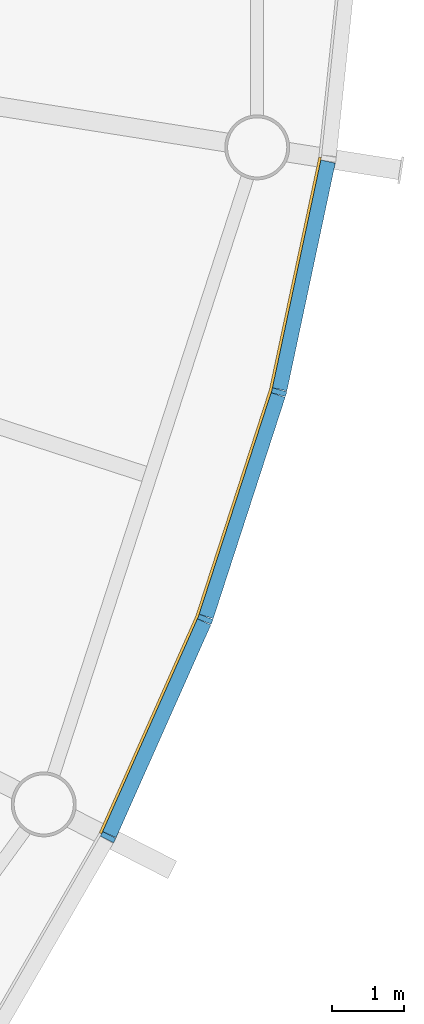
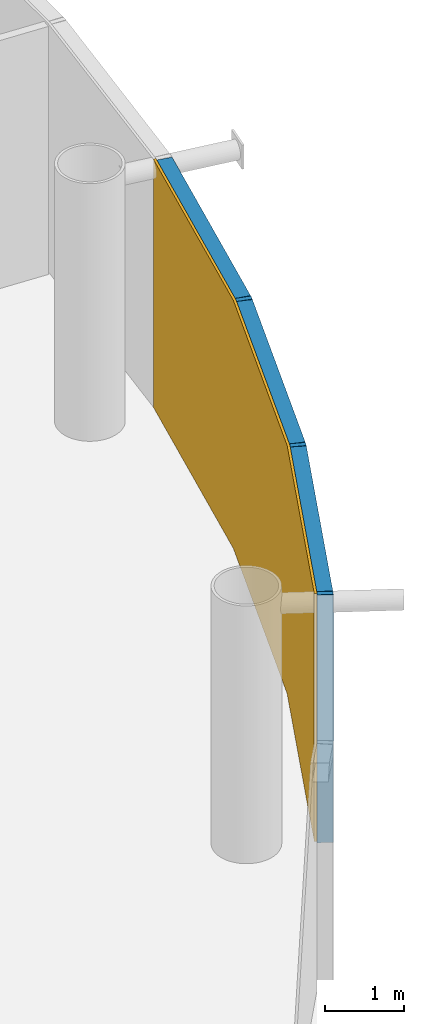
# One storey, part 14 of 18: 6 members, 1 curtain wall.
"""IFC4 building model written with IfcOpenShell, lengths in metres."""

from ifc_helpers import new_model, si_unit, direction, frame, origin, origin_2d, place, context, subcontext, project, spatial, polyline, rectangle, outline, extrude, material, layer, layer_set, material_profile, profile_set, type_object, element, aggregate, save


model = new_model("IFC4")

# Units and contexts
model_context = context("Model", 3, precision=1e-05, world=origin(), true_north=direction((0.0, 1.0)))
body_context = subcontext(model_context, "Body", "Model", "MODEL_VIEW")
ifc_project = project(units=[si_unit("LENGTHUNIT", "METRE"), si_unit("AREAUNIT", "SQUARE_METRE"), si_unit("VOLUMEUNIT", "CUBIC_METRE"), si_unit("PLANEANGLEUNIT", "RADIAN"), si_unit("MASSUNIT", "GRAM", prefix="KILO")], contexts=[model_context])

# Member
ifc_material_1 = material(Name="Anodised aluminium", Category="aluminium")
ifc_material_profile_1 = material_profile(ifc_material_1, rectangle(XDim=0.070068359375, YDim=0.205078125, at=origin_2d()), Name="Mullion 70 x 205 mm anodised aluminium")
ifc_profile_set_1 = profile_set([ifc_material_profile_1], Name="Anodised aluminium")
member_type_1 = type_object("IfcMemberType", Name="Mullion 70 x 205 mm anodised aluminium", PredefinedType="MULLION", material=ifc_profile_set_1)
site_placement = place(None, origin())
building_placement = place(site_placement, origin())
storey_placement = place(building_placement, frame((0.0, 0.0, 352.0)))
member_1_placement = place(storey_placement, frame((118.157958984375, 65.65283203125, 0.0), z_axis=(0.0, 0.0, 1.0), x_axis=(0.45399049974, 0.891006524188, 0.0)))
member_1 = element("IfcMember", 1, at=member_1_placement, type_object=member_type_1, Name="MULLION L81-54", PredefinedType="MULLION", context=body_context, shape_type="SweptSolid", body=[
    extrude(rectangle(XDim=0.070068359375, YDim=0.205078125, at=origin_2d()), origin(), (0.0, 0.0, 1.0), 3.85009765625),
])

member_2_placement = place(storey_placement, frame((119.50341796875, 68.674560546875, 0.0), z_axis=(0.0, 0.0, 1.0), x_axis=(0.358367949545, 0.933580426497, 0.0)))
member_2 = element("IfcMember", 2, at=member_2_placement, type_object=member_type_1, Name="MULLION L81-55", PredefinedType="MULLION", context=body_context, shape_type="SweptSolid", body=[
    extrude(rectangle(XDim=0.070068359375, YDim=0.205078125, at=origin_2d()), origin(), (0.0, 0.0, 1.0), 3.85009765625),
])

member_3_placement = place(storey_placement, frame((120.525634765625, 71.820556640625, 0.0), z_axis=(0.0, 0.0, 1.0), x_axis=(0.258819045103, 0.965925826289, 0.0)))
member_3 = element("IfcMember", 3, at=member_3_placement, type_object=member_type_1, Name="MULLION L81-56", PredefinedType="MULLION", context=body_context, shape_type="SweptSolid", body=[
    extrude(rectangle(XDim=0.070068359375, YDim=0.205078125, at=origin_2d()), origin(), (0.0, 0.0, 1.0), 3.85009765625),
])

ifc_material_2 = material(Name="Anodised aluminium", Category="aluminium")
ifc_material_profile_2 = material_profile(ifc_material_2, rectangle(XDim=0.205078125, YDim=0.195068359375, at=origin_2d()), Name="Transom 195 x 205 mm anodised aluminium")
ifc_profile_set_2 = profile_set([ifc_material_profile_2], Name="Anodised aluminium")
member_type_2 = type_object("IfcMemberType", Name="Transom 195 x 205 mm anodised aluminium", PredefinedType="USERDEFINED", material=ifc_profile_set_2)
member_4_placement = place(storey_placement, frame((118.174560546875, 65.689697265625, 3.75244140625), z_axis=(0.406791170024, 0.913521178731, 0.0), x_axis=(-0.913521178731, 0.406791170024, 0.0)))
member_4 = element("IfcMember", 4, at=member_4_placement, type_object=member_type_2, Name="TRANSOM L81-54", ObjectType="TRANSOM", PredefinedType="USERDEFINED", context=body_context, shape_type="SweptSolid", body=[
    extrude(rectangle(XDim=0.205078125, YDim=0.195068359375, at=origin_2d()), origin(), (0.0, 0.0, 1.0), 3.22705078125),
])

member_5_placement = place(storey_placement, frame((119.51611328125, 68.713134765625, 3.75244140625), z_axis=(0.309046726844, 0.951046855117, 0.0), x_axis=(-0.951046855117, 0.309046726844, 0.0)))
member_5 = element("IfcMember", 5, at=member_5_placement, type_object=member_type_2, Name="TRANSOM L81-55", ObjectType="TRANSOM", PredefinedType="USERDEFINED", context=body_context, shape_type="SweptSolid", body=[
    extrude(rectangle(XDim=0.205078125, YDim=0.195068359375, at=origin_2d()), origin(), (0.0, 0.0, 1.0), 3.22705078125),
])

member_6_placement = place(storey_placement, frame((120.5341796875, 71.860107421875, 3.75244140625), z_axis=(0.207885898771, 0.978153082647, 0.0), x_axis=(-0.978153082647, 0.207885898771, 0.0)))
member_6 = element("IfcMember", 6, at=member_6_placement, type_object=member_type_2, Name="TRANSOM L81-56", ObjectType="TRANSOM", PredefinedType="USERDEFINED", context=body_context, shape_type="SweptSolid", body=[
    extrude(rectangle(XDim=0.205078125, YDim=0.195068359375, at=origin_2d()), origin(), (0.0, 0.0, 1.0), 3.227294921875),
])

# Site, building, storey
site = spatial("IfcSite", under=ifc_project, at=site_placement, CompositionType="ELEMENT")
building = spatial("IfcBuilding", under=site, at=building_placement, Name="Entoto Ring Tower", CompositionType="ELEMENT")
storey = spatial("IfcBuildingStorey", under=building, at=storey_placement, Name="L81", CompositionType="ELEMENT", Elevation=352.0)

# Curtain wall
ifc_material_3 = material(Name="Clear low-iron glass", Category="glass")
ifc_layer = layer(ifc_material_3, 0.035888671875)
ifc_layer_set = layer_set([ifc_layer], Name="Clear low-iron glass")
curtain_wall_type = type_object("IfcCurtainWallType", Name="Curtain wall system CW6 glazing 36 mm", PredefinedType="NOTDEFINED", material=ifc_layer_set)
curtain_wall_placement = place(storey_placement, origin())
curtain_wall = element("IfcCurtainWall", 7, at=curtain_wall_placement, inside=storey, type_object=curtain_wall_type, Name="CW6 L81-19", PredefinedType="NOTDEFINED", context=body_context, shape_type="SweptSolid", body=[
    extrude(outline(polyline([(118.066650390625, 65.69921875), (119.40771484375, 68.71142578125), (120.4267578125, 71.84716796875), (121.1123046875, 75.072265625), (121.07666015625, 75.077880859375), (120.391845703125, 71.8564453125), (119.3740234375, 68.724365234375), (118.03466796875, 65.715576171875), (118.066650390625, 65.69921875)])), origin(), (0.0, 0.0, 1.0), 3.85009765625),
])

aggregate(curtain_wall, [member_1, member_2, member_3, member_4, member_5, member_6])

save(model, "model.ifc")
